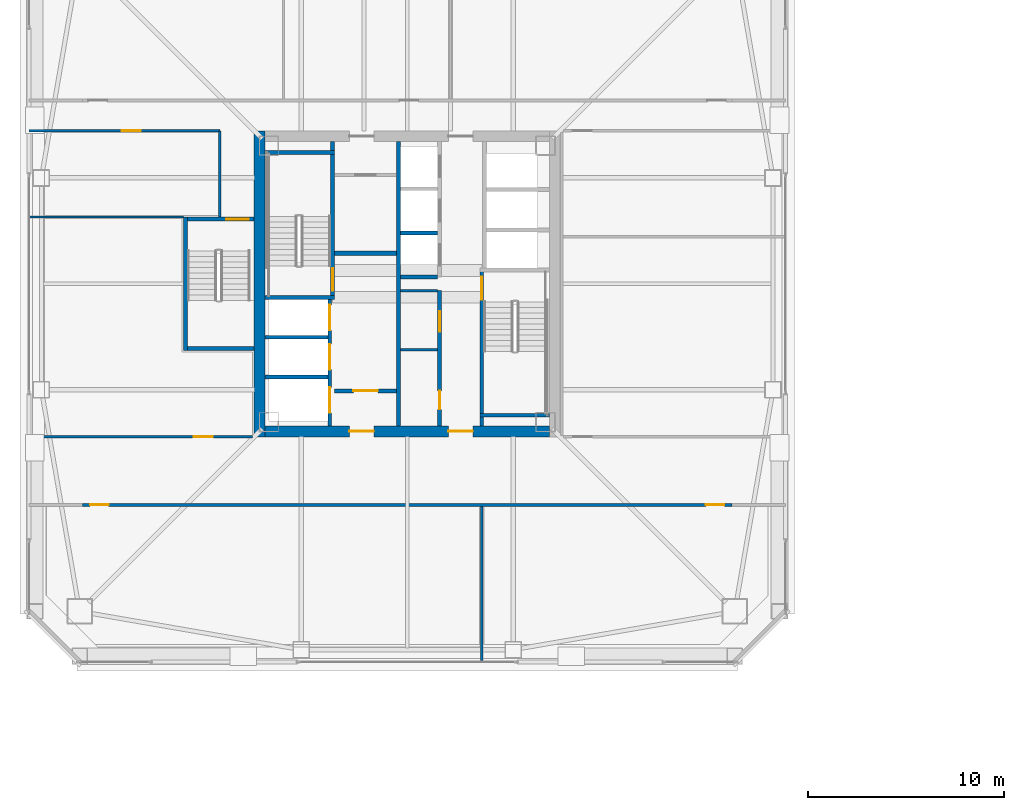
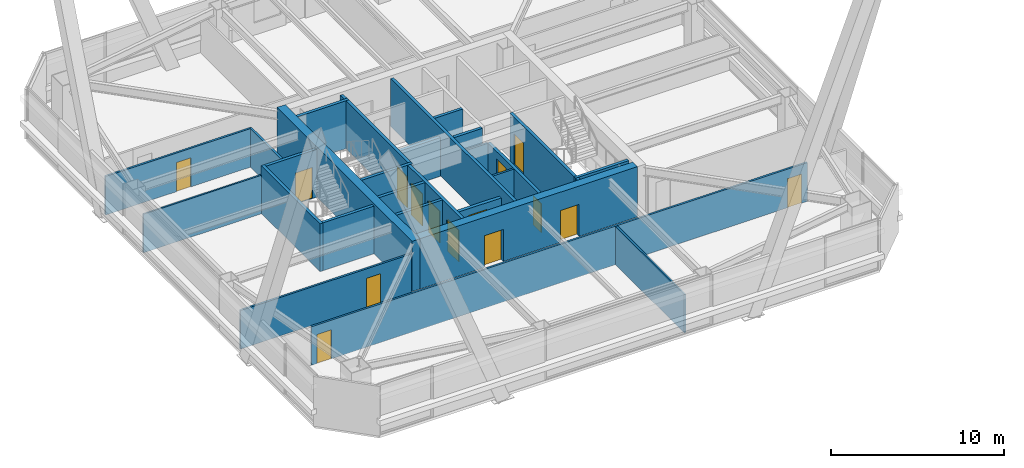
# One storey, part 44 of 54: 27 walls, 15 doors, 15 openings.
"""IFC4 building model written with IfcOpenShell, lengths in metres."""

from ifc_helpers import new_model, si_unit, direction, frame, frame_2d, origin, place, context, subcontext, project, spatial, rectangle, extrude, material, layer, layer_set, type_object, element, fill, save


model = new_model("IFC4")

# Units and contexts
model_context = context("Model", 3, precision=1e-05, world=origin(), true_north=direction((0.0, 1.0)))
body_context = subcontext(model_context, "Body", "Model", "MODEL_VIEW")
ifc_project = project(units=[si_unit("LENGTHUNIT", "METRE"), si_unit("AREAUNIT", "SQUARE_METRE"), si_unit("VOLUMEUNIT", "CUBIC_METRE"), si_unit("PLANEANGLEUNIT", "RADIAN"), si_unit("MASSUNIT", "GRAM", prefix="KILO")], contexts=[model_context])

# Site, building, storey
site_placement = place(None, origin())
site = spatial("IfcSite", under=ifc_project, at=site_placement, CompositionType="ELEMENT")
building_placement = place(site_placement, origin())
building = spatial("IfcBuilding", under=site, at=building_placement, Name="Tashvorn Skyway Center", CompositionType="ELEMENT")
storey_placement = place(building_placement, frame((0.0, 0.0, 135.699951171875)))
storey = spatial("IfcBuildingStorey", under=building, at=storey_placement, Name="L36", CompositionType="ELEMENT", Elevation=135.699951171875)

# Wall
ifc_material_1 = material(Name="Concrete C60/75", Category="concrete")
ifc_layer_1 = layer(ifc_material_1, 0.550048828125)
ifc_layer_set_1 = layer_set([ifc_layer_1], Name="Concrete C60/75")
wall_type_1 = type_object("IfcWallType", Name="WALL-CORE-550", PredefinedType="SHEAR", material=ifc_layer_set_1)
wall_1_placement = place(storey_placement, frame((34.47509765625, 24.199951171875, 0.0), z_axis=(0.0, 0.0, 1.0), x_axis=(0.0, 1.0, 0.0)))
element("IfcWall", 1, at=wall_1_placement, inside=storey, type_object=wall_type_1, Name="Tower 1 L36 West Core Shear Wall", PredefinedType="SHEAR", context=body_context, shape_type="SweptSolid", body=[
    extrude(rectangle(XDim=15.60009765625, YDim=0.550048828125, at=frame_2d((7.800048828125, 0.0))), origin(), (0.0, 0.0, 1.0), 3.550048828125),
])

# Wall, openings, doors
wall_2_placement = place(storey_placement, frame((49.25, 24.47509765625, 0.0), z_axis=(0.0, 0.0, 1.0), x_axis=(-1.0, 0.0, 0.0)))
wall_2 = element("IfcWall", 2, at=wall_2_placement, inside=storey, type_object=wall_type_1, Name="Tower 1 L36 South Core Shear Wall", PredefinedType="SHEAR", context=body_context, shape_type="SweptSolid", body=[
    extrude(rectangle(XDim=14.5, YDim=0.550048828125, at=frame_2d((7.25, 0.0))), origin(), (0.0, 0.0, 1.0), 3.550048828125),
])
opening_1_placement = place(wall_2_placement, frame((8.949951171875, 0.0, 0.0)))
opening_1 = element("IfcOpeningElement", 3, at=opening_1_placement, cuts=wall_2, Name="Opening D-FFL-1250", PredefinedType="OPENING", context=body_context, shape_type="SweptSolid", body=[
    extrude(rectangle(XDim=1.25, YDim=2.25, at=frame_2d((0.625, 1.125))), frame((0.0, 0.284912109375, 0.0), z_axis=(0.0, -1.0, 0.0), x_axis=(1.0, 0.0, 0.0)), (0.0, 0.0, 1.0), 0.570068359375),
])
opening_2_placement = place(wall_2_placement, frame((3.89990234375, 0.0, 0.0)))
opening_2 = element("IfcOpeningElement", 4, at=opening_2_placement, cuts=wall_2, Name="Opening D-FFL-1250", PredefinedType="OPENING", context=body_context, shape_type="SweptSolid", body=[
    extrude(rectangle(XDim=1.25, YDim=2.25, at=frame_2d((0.625, 1.125))), frame((0.0, 0.284912109375, 0.0), z_axis=(0.0, -1.0, 0.0), x_axis=(1.0, 0.0, 0.0)), (0.0, 0.0, 1.0), 0.570068359375),
])
ifc_material_2 = material(Name="Hollow galvanized steel fire door assembly", Category="steel")
door_type_1 = type_object("IfcDoorType", Name="DOOR-FFL-1250", OperationType="NOTDEFINED", PredefinedType="DOOR", material=ifc_material_2)
door_1_placement = place(opening_1_placement, origin())
door_1 = element("IfcDoor", 5, at=door_1_placement, inside=storey, type_object=door_type_1, Name="Tower 1 L36 Core South Firefighting Exit Door", OperationType="SINGLE_SWING_LEFT", OverallHeight=2.25, OverallWidth=1.25, PredefinedType="DOOR", context=body_context, shape_type="SweptSolid", body=[
    extrude(rectangle(XDim=1.25, YDim=2.25, at=frame_2d((0.625, 1.125))), frame((0.0, 0.02490234375, 0.0), z_axis=(0.0, -1.0, 0.0), x_axis=(1.0, 0.0, 0.0)), (0.0, 0.0, 1.0), 0.050048828125),
])
fill(opening_1, door_1)
door_2_placement = place(opening_2_placement, origin())
door_2 = element("IfcDoor", 6, at=door_2_placement, inside=storey, type_object=door_type_1, Name="Tower 1 L36 Core South Lift Lobby Door", OperationType="SINGLE_SWING_RIGHT", OverallHeight=2.25, OverallWidth=1.25, PredefinedType="DOOR", context=body_context, shape_type="SweptSolid", body=[
    extrude(rectangle(XDim=1.25, YDim=2.25, at=frame_2d((0.625, 1.125))), frame((0.0, 0.02490234375, 0.0), z_axis=(0.0, -1.0, 0.0), x_axis=(1.0, 0.0, 0.0)), (0.0, 0.0, 1.0), 0.050048828125),
])
fill(opening_2, door_2)

# Wall
ifc_material_3 = material(Name="Concrete C40/50", Category="concrete")
ifc_layer_2 = layer(ifc_material_3, 0.219970703125)
ifc_layer_set_2 = layer_set([ifc_layer_2], Name="Concrete C40/50")
wall_type_2 = type_object("IfcWallType", Name="WALL-FFL-220", PredefinedType="SOLIDWALL", material=ifc_layer_set_2)
wall_3_placement = place(storey_placement, frame((38.300048828125, 33.56005859375, 0.0), z_axis=(0.0, 0.0, 1.0), x_axis=(1.0, 0.0, 0.0)))
element("IfcWall", 7, at=wall_3_placement, inside=storey, type_object=wall_type_2, Name="Tower 1 L36 Firefighting Lobby North Wall", PredefinedType="SOLIDWALL", context=body_context, shape_type="SweptSolid", body=[
    extrude(rectangle(XDim=3.14990234375, YDim=0.219970703125, at=frame_2d((1.574951171875, 0.0))), origin(), (0.0, 0.0, 1.0), 2.72314453125),
])

# Wall, opening, door
wall_4_placement = place(storey_placement, frame((38.300048828125, 26.5400390625, 0.0), z_axis=(0.0, 0.0, 1.0), x_axis=(1.0, 0.0, 0.0)))
wall_4 = element("IfcWall", 8, at=wall_4_placement, inside=storey, type_object=wall_type_2, Name="Tower 1 L36 Firefighting Lobby South Wall", PredefinedType="SOLIDWALL", context=body_context, shape_type="SweptSolid", body=[
    extrude(rectangle(XDim=3.14990234375, YDim=0.219970703125, at=frame_2d((1.574951171875, 0.0))), origin(), (0.0, 0.0, 1.0), 2.72314453125),
])
opening_3_placement = place(wall_4_placement, frame((0.949951171875, 0.0, 0.0)))
opening_3 = element("IfcOpeningElement", 9, at=opening_3_placement, cuts=wall_4, Name="Opening D-FFL-1250", PredefinedType="OPENING", context=body_context, shape_type="SweptSolid", body=[
    extrude(rectangle(XDim=1.25, YDim=2.25, at=frame_2d((0.625, 1.125))), frame((0.0, 0.119873046875, 0.0), z_axis=(0.0, -1.0, 0.0), x_axis=(1.0, 0.0, 0.0)), (0.0, 0.0, 1.0), 0.239990234375),
])
door_3_placement = place(opening_3_placement, origin())
door_3 = element("IfcDoor", 10, at=door_3_placement, inside=storey, type_object=door_type_1, Name="Tower 1 L36 Firefighting Lobby Egress Door", OperationType="SINGLE_SWING_LEFT", OverallHeight=2.25, OverallWidth=1.25, PredefinedType="DOOR", context=body_context, shape_type="SweptSolid", body=[
    extrude(rectangle(XDim=1.25, YDim=2.25, at=frame_2d((0.625, 1.125))), frame((0.0, 0.02490234375, 0.0), z_axis=(0.0, -1.0, 0.0), x_axis=(1.0, 0.0, 0.0)), (0.0, 0.0, 1.0), 0.050048828125),
])
fill(opening_3, door_3)

# Walls
ifc_material_4 = material(Name="Gypsum board on cold-formed steel stud framing", Category="steel")
ifc_layer_3 = layer(ifc_material_4, 0.110107421875)
ifc_layer_set_3 = layer_set([ifc_layer_3], Name="Gypsum board on cold-formed steel stud framing")
wall_type_3 = type_object("IfcWallType", Name="WALL-PART-110", PredefinedType="PARTITIONING", material=ifc_layer_set_3)
wall_5_placement = place(storey_placement, frame((45.800048828125, 12.719970703125, 0.0), z_axis=(0.0, 0.0, 1.0), x_axis=(0.0, 1.0, 0.0)))
element("IfcWall", 11, at=wall_5_placement, inside=storey, type_object=wall_type_3, Name="Tower 1 L36 South Suite Partition 1", PredefinedType="PARTITIONING", context=body_context, shape_type="SweptSolid", body=[
    extrude(rectangle(XDim=7.929931640625, YDim=0.110107421875, at=frame_2d((3.96484375, 0.0))), origin(), (0.0, 0.0, 1.0), 2.72314453125),
])
wall_6_placement = place(storey_placement, frame((30.60009765625, 35.39990234375, 0.0), z_axis=(0.0, 0.0, 1.0), x_axis=(-1.0, 0.0, 0.0)))
element("IfcWall", 12, at=wall_6_placement, inside=storey, type_object=wall_type_3, Name="Tower 1 L36 West Suite Partition 1", PredefinedType="PARTITIONING", context=body_context, shape_type="SweptSolid", body=[
    extrude(rectangle(XDim=7.880126953125, YDim=0.110107421875, at=frame_2d((3.93994140625, 0.0))), origin(), (0.0, 0.0, 1.0), 2.72314453125),
])
ifc_layer_4 = layer(ifc_material_4, 0.135009765625)
ifc_layer_set_4 = layer_set([ifc_layer_4], Name="Gypsum board on cold-formed steel stud framing")
wall_type_4 = type_object("IfcWallType", Name="WALL-PART-135", PredefinedType="PARTITIONING", material=ifc_layer_set_4)
wall_7_placement = place(storey_placement, frame((32.449951171875, 35.39990234375, 0.0), z_axis=(0.0, 0.0, 1.0), x_axis=(0.0, 1.0, 0.0)))
element("IfcWall", 13, at=wall_7_placement, inside=storey, type_object=wall_type_4, Name="Tower 1 L36 Stair 3 Access Corridor Wall", PredefinedType="PARTITIONING", context=body_context, shape_type="SweptSolid", body=[
    extrude(rectangle(XDim=4.400146484375, YDim=0.135009765625, at=frame_2d((2.2001953125, 0.0))), origin(), (0.0, 0.0, 1.0), 2.72314453125),
])

# Wall, openings, doors
wall_8_placement = place(storey_placement, frame((58.550048828125, 20.72998046875, 0.0), z_axis=(0.0, 0.0, 1.0), x_axis=(-1.0, 0.0, 0.0)))
wall_8 = element("IfcWall", 14, at=wall_8_placement, inside=storey, type_object=wall_type_4, Name="Tower 1 L36 South Suite Wall", PredefinedType="PARTITIONING", context=body_context, shape_type="SweptSolid", body=[
    extrude(rectangle(XDim=33.10009765625, YDim=0.135009765625, at=frame_2d((16.550048828125, 0.0))), origin(), (0.0, 0.0, 1.0), 2.72314453125),
])
opening_4_placement = place(wall_8_placement, frame((31.77001953125, 0.0, 0.0)))
opening_4 = element("IfcOpeningElement", 15, at=opening_4_placement, cuts=wall_8, Name="Opening D-INT-950", PredefinedType="OPENING", context=body_context, shape_type="SweptSolid", body=[
    extrude(rectangle(XDim=0.949951171875, YDim=2.050048828125, at=frame_2d((0.47509765625, 1.02490234375))), frame((0.0, 0.077392578125, 0.0), z_axis=(0.0, -1.0, 0.0), x_axis=(1.0, 0.0, 0.0)), (0.0, 0.0, 1.0), 0.155029296875),
])
opening_5_placement = place(wall_8_placement, frame((0.3798828125, 0.0, 0.0)))
opening_5 = element("IfcOpeningElement", 16, at=opening_5_placement, cuts=wall_8, Name="Opening D-INT-950", PredefinedType="OPENING", context=body_context, shape_type="SweptSolid", body=[
    extrude(rectangle(XDim=0.949951171875, YDim=2.050048828125, at=frame_2d((0.47509765625, 1.02490234375))), frame((0.0, 0.077392578125, 0.0), z_axis=(0.0, -1.0, 0.0), x_axis=(1.0, 0.0, 0.0)), (0.0, 0.0, 1.0), 0.155029296875),
])
ifc_material_5 = material(Name="Solid-core architectural oak veneer door")
door_type_2 = type_object("IfcDoorType", Name="DOOR-INT-950", OperationType="NOTDEFINED", PredefinedType="DOOR", material=ifc_material_5)
door_4_placement = place(opening_4_placement, origin())
door_4 = element("IfcDoor", 17, at=door_4_placement, inside=storey, type_object=door_type_2, Name="Tower 1 L36 Executive Study Lounge Door", OperationType="SINGLE_SWING_RIGHT", OverallHeight=2.050048828125, OverallWidth=0.949951171875, PredefinedType="DOOR", context=body_context, shape_type="SweptSolid", body=[
    extrude(rectangle(XDim=0.949951171875, YDim=2.050048828125, at=frame_2d((0.47509765625, 1.02490234375))), frame((0.0, 0.02490234375, 0.0), z_axis=(0.0, -1.0, 0.0), x_axis=(1.0, 0.0, 0.0)), (0.0, 0.0, 1.0), 0.050048828125),
])
fill(opening_4, door_4)
door_5_placement = place(opening_5_placement, origin())
door_5 = element("IfcDoor", 18, at=door_5_placement, inside=storey, type_object=door_type_2, Name="Tower 1 L36 Reading Lounge Door", OperationType="SINGLE_SWING_LEFT", OverallHeight=2.050048828125, OverallWidth=0.949951171875, PredefinedType="DOOR", context=body_context, shape_type="SweptSolid", body=[
    extrude(rectangle(XDim=0.949951171875, YDim=2.050048828125, at=frame_2d((0.47509765625, 1.02490234375))), frame((0.0, 0.02490234375, 0.0), z_axis=(0.0, -1.0, 0.0), x_axis=(1.0, 0.0, 0.0)), (0.0, 0.0, 1.0), 0.050048828125),
])
fill(opening_5, door_5)

# Wall, opening, door
wall_9_placement = place(storey_placement, frame((32.449951171875, 39.800048828125, 0.0), z_axis=(0.0, 0.0, 1.0), x_axis=(-1.0, 0.0, 0.0)))
wall_9 = element("IfcWall", 19, at=wall_9_placement, inside=storey, type_object=wall_type_4, Name="Tower 1 L36 West Suite North Wall", PredefinedType="PARTITIONING", context=body_context, shape_type="SweptSolid", body=[
    extrude(rectangle(XDim=9.72998046875, YDim=0.135009765625, at=frame_2d((4.864990234375, 0.0))), origin(), (0.0, 0.0, 1.0), 2.72314453125),
])
opening_6_placement = place(wall_9_placement, frame((4.0400390625, 0.0, 0.0)))
opening_6 = element("IfcOpeningElement", 20, at=opening_6_placement, cuts=wall_9, Name="Opening D-INT-950", PredefinedType="OPENING", context=body_context, shape_type="SweptSolid", body=[
    extrude(rectangle(XDim=0.949951171875, YDim=2.050048828125, at=frame_2d((0.47509765625, 1.02490234375))), frame((0.0, 0.077392578125, 0.0), z_axis=(0.0, -1.0, 0.0), x_axis=(1.0, 0.0, 0.0)), (0.0, 0.0, 1.0), 0.155029296875),
])
door_6_placement = place(opening_6_placement, origin())
door_6 = element("IfcDoor", 21, at=door_6_placement, inside=storey, type_object=door_type_2, Name="Tower 1 L36 Reading Lounge Door", OperationType="SINGLE_SWING_RIGHT", OverallHeight=2.050048828125, OverallWidth=0.949951171875, PredefinedType="DOOR", context=body_context, shape_type="SweptSolid", body=[
    extrude(rectangle(XDim=0.949951171875, YDim=2.050048828125, at=frame_2d((0.47509765625, 1.02490234375))), frame((0.0, 0.02490234375, 0.0), z_axis=(0.0, -1.0, 0.0), x_axis=(1.0, 0.0, 0.0)), (0.0, 0.0, 1.0), 0.050048828125),
])
fill(opening_6, door_6)

wall_10_placement = place(storey_placement, frame((22.719970703125, 24.199951171875, 0.0), z_axis=(0.0, 0.0, 1.0), x_axis=(1.0, 0.0, 0.0)))
wall_10 = element("IfcWall", 22, at=wall_10_placement, inside=storey, type_object=wall_type_4, Name="Tower 1 L36 West Suite South Wall", PredefinedType="PARTITIONING", context=body_context, shape_type="SweptSolid", body=[
    extrude(rectangle(XDim=11.400146484375, YDim=0.135009765625, at=frame_2d((5.7001953125, 0.0))), origin(), (0.0, 0.0, 1.0), 2.72314453125),
])
opening_7_placement = place(wall_10_placement, frame((8.405029296875, 0.0, 0.0)))
opening_7 = element("IfcOpeningElement", 23, at=opening_7_placement, cuts=wall_10, Name="Opening D-INT-950", PredefinedType="OPENING", context=body_context, shape_type="SweptSolid", body=[
    extrude(rectangle(XDim=0.949951171875, YDim=2.050048828125, at=frame_2d((0.47509765625, 1.02490234375))), frame((0.0, 0.077392578125, 0.0), z_axis=(0.0, -1.0, 0.0), x_axis=(1.0, 0.0, 0.0)), (0.0, 0.0, 1.0), 0.155029296875),
])
door_7_placement = place(opening_7_placement, origin())
door_7 = element("IfcDoor", 24, at=door_7_placement, inside=storey, type_object=door_type_2, Name="Tower 1 L36 Public Restroom Door", OperationType="SINGLE_SWING_LEFT", OverallHeight=2.050048828125, OverallWidth=0.949951171875, PredefinedType="DOOR", context=body_context, shape_type="SweptSolid", body=[
    extrude(rectangle(XDim=0.949951171875, YDim=2.050048828125, at=frame_2d((0.47509765625, 1.02490234375))), frame((0.0, 0.02490234375, 0.0), z_axis=(0.0, -1.0, 0.0), x_axis=(1.0, 0.0, 0.0)), (0.0, 0.0, 1.0), 0.050048828125),
])
fill(opening_7, door_7)

# Walls
ifc_layer_5 = layer(ifc_material_4, 0.135009765625)
ifc_layer_set_5 = layer_set([ifc_layer_5], Name="Gypsum board on cold-formed steel stud framing")
wall_type_5 = type_object("IfcWallType", Name="WALL-RATED-135", PredefinedType="PARTITIONING", material=ifc_layer_set_5)
for number, where, z_axis, x_axis, name in (
    (25, (41.669921875, 31.64990234375, 0.0), (0.0, 0.0, 1.0), (1.0, 0.0, 0.0), "Tower 1 L36 Core Room Partition"),
    (26, (41.669921875, 28.64990234375, 0.0), (0.0, 0.0, 1.0), (1.0, 0.0, 0.0), "Tower 1 L36 Freed Core Partition"),
):
    element("IfcWall", number, at=place(storey_placement, frame(where, z_axis=z_axis, x_axis=x_axis)), inside=storey, type_object=wall_type_5, Name=name, PredefinedType="PARTITIONING", context=body_context, shape_type="SweptSolid", body=[
        extrude(rectangle(XDim=1.880126953125, YDim=0.135009765625, at=frame_2d((0.93994140625, 0.0))), origin(), (0.0, 0.0, 1.0), 2.72314453125),
    ])
ifc_layer_6 = layer(ifc_material_3, 0.199951171875)
ifc_layer_set_6 = layer_set([ifc_layer_6], Name="Concrete C40/50")
wall_type_6 = type_object("IfcWallType", Name="WALL-SHAFT-200", PredefinedType="SOLIDWALL", material=ifc_layer_set_6)
for number, where, z_axis, x_axis, name in (
    (27, (34.75, 27.25, 0.0), (0.0, 0.0, 1.0), (1.0, 0.0, 0.0), "Tower 1 L36 FSAE Shaft Divider"),
    (28, (34.75, 29.280029296875, 0.0), (0.0, 0.0, 1.0), (1.0, 0.0, 0.0), "Tower 1 L36 FSAE Shaft Divider"),
):
    element("IfcWall", number, at=place(storey_placement, frame(where, z_axis=z_axis, x_axis=x_axis)), inside=storey, type_object=wall_type_6, Name=name, PredefinedType="SOLIDWALL", context=body_context, shape_type="SweptSolid", body=[
        extrude(rectangle(XDim=3.199951171875, YDim=0.199951171875, at=frame_2d((1.60009765625, 0.0))), origin(), (0.0, 0.0, 1.0), 3.3701171875),
    ])

# Wall, openings, doors
wall_11_placement = place(storey_placement, frame((43.64990234375, 24.75, 0.0), z_axis=(0.0, 0.0, 1.0), x_axis=(0.0, 1.0, 0.0)))
wall_11 = element("IfcWall", 29, at=wall_11_placement, inside=storey, type_object=wall_type_6, Name="Tower 1 L36 Low-Rise Core Wall", PredefinedType="SOLIDWALL", context=body_context, shape_type="SweptSolid", body=[
    extrude(rectangle(XDim=6.89990234375, YDim=0.199951171875, at=frame_2d((3.449951171875, 0.0))), origin(), (0.0, 0.0, 1.0), 2.72314453125),
])
opening_8_placement = place(wall_11_placement, frame((0.85009765625, 0.0, 0.0)))
opening_8 = element("IfcOpeningElement", 30, at=opening_8_placement, cuts=wall_11, Name="Opening D-RT-950", PredefinedType="OPENING", context=body_context, shape_type="SweptSolid", body=[
    extrude(rectangle(XDim=0.949951171875, YDim=2.050048828125, at=frame_2d((0.47509765625, 1.02490234375))), frame((0.0, 0.10986328125, 0.0), z_axis=(0.0, -1.0, 0.0), x_axis=(1.0, 0.0, 0.0)), (0.0, 0.0, 1.0), 0.219970703125),
])
opening_9_placement = place(wall_11_placement, frame((4.800048828125, 0.0, 0.0)))
opening_9 = element("IfcOpeningElement", 31, at=opening_9_placement, cuts=wall_11, Name="Opening D-RT-1050", PredefinedType="OPENING", context=body_context, shape_type="SweptSolid", body=[
    extrude(rectangle(XDim=1.050048828125, YDim=2.199951171875, at=frame_2d((0.52490234375, 1.10009765625))), frame((0.0, 0.10986328125, 0.0), z_axis=(0.0, -1.0, 0.0), x_axis=(1.0, 0.0, 0.0)), (0.0, 0.0, 1.0), 0.219970703125),
])
door_type_3 = type_object("IfcDoorType", Name="DOOR-RATED-1050", OperationType="NOTDEFINED", PredefinedType="DOOR", material=ifc_material_2)
door_8_placement = place(opening_9_placement, origin())
door_8 = element("IfcDoor", 32, at=door_8_placement, inside=storey, type_object=door_type_3, Name="Tower 1 L36 Freed Core Room Door", OperationType="SINGLE_SWING_RIGHT", OverallHeight=2.199951171875, OverallWidth=1.050048828125, PredefinedType="DOOR", context=body_context, shape_type="SweptSolid", body=[
    extrude(rectangle(XDim=1.050048828125, YDim=2.199951171875, at=frame_2d((0.52490234375, 1.10009765625))), frame((0.0, 0.02490234375, 0.0), z_axis=(0.0, -1.0, 0.0), x_axis=(1.0, 0.0, 0.0)), (0.0, 0.0, 1.0), 0.050048828125),
])
fill(opening_9, door_8)
door_type_4 = type_object("IfcDoorType", Name="DOOR-RATED-950", OperationType="NOTDEFINED", PredefinedType="DOOR", material=ifc_material_2)
door_9_placement = place(opening_8_placement, origin())
door_9 = element("IfcDoor", 33, at=door_9_placement, inside=storey, type_object=door_type_4, Name="Tower 1 L36 Core Print Room Door", OperationType="SINGLE_SWING_LEFT", OverallHeight=2.050048828125, OverallWidth=0.949951171875, PredefinedType="DOOR", context=body_context, shape_type="SweptSolid", body=[
    extrude(rectangle(XDim=0.949951171875, YDim=2.050048828125, at=frame_2d((0.47509765625, 1.02490234375))), frame((0.0, 0.02490234375, 0.0), z_axis=(0.0, -1.0, 0.0), x_axis=(1.0, 0.0, 0.0)), (0.0, 0.0, 1.0), 0.050048828125),
])
fill(opening_8, door_9)

# Walls
for number, where, z_axis, x_axis, name in (
    (34, (41.669921875, 32.35009765625, 0.0), (0.0, 0.0, 1.0), (1.0, 0.0, 0.0), "Tower 1 L36 Mid-Rise Shaft Divider"),
    (35, (41.669921875, 34.60009765625, 0.0), (0.0, 0.0, 1.0), (1.0, 0.0, 0.0), "Tower 1 L36 Mid-Rise Shaft Divider"),
):
    element("IfcWall", number, at=place(storey_placement, frame(where, z_axis=z_axis, x_axis=x_axis)), inside=storey, type_object=wall_type_6, Name=name, PredefinedType="SOLIDWALL", context=body_context, shape_type="SweptSolid", body=[
        extrude(rectangle(XDim=1.880126953125, YDim=0.199951171875, at=frame_2d((0.93994140625, 0.0))), origin(), (0.0, 0.0, 1.0), 3.3701171875),
    ])

# Wall, opening, door
ifc_layer_7 = layer(ifc_material_3, 0.199951171875)
ifc_layer_set_7 = layer_set([ifc_layer_7], Name="Concrete C40/50")
wall_type_7 = type_object("IfcWallType", Name="WALL-STSHF-200", PredefinedType="SHEAR", material=ifc_layer_set_7)
wall_12_placement = place(storey_placement, frame((38.199951171875, 31.199951171875, 0.0), z_axis=(0.0, 0.0, 1.0), x_axis=(0.0, 1.0, 0.0)))
wall_12 = element("IfcWall", 36, at=wall_12_placement, inside=storey, type_object=wall_type_7, Name="Tower 1 L36 Stair 1 Enclosure Wall", PredefinedType="SHEAR", context=body_context, shape_type="SweptSolid", body=[
    extrude(rectangle(XDim=8.050048828125, YDim=0.199951171875, at=frame_2d((4.02490234375, 0.0))), origin(), (0.0, 0.0, 1.0), 3.3701171875),
])
opening_10_placement = place(wall_12_placement, frame((0.449951171875, 0.0, 0.0)))
opening_10 = element("IfcOpeningElement", 37, at=opening_10_placement, cuts=wall_12, Name="Opening D-ST-1150", PredefinedType="OPENING", context=body_context, shape_type="SweptSolid", body=[
    extrude(rectangle(XDim=1.14990234375, YDim=2.199951171875, at=frame_2d((0.574951171875, 1.10009765625))), frame((0.0, 0.10986328125, 0.0), z_axis=(0.0, -1.0, 0.0), x_axis=(1.0, 0.0, 0.0)), (0.0, 0.0, 1.0), 0.219970703125),
])
door_type_5 = type_object("IfcDoorType", Name="DOOR-STAIR-1150", OperationType="NOTDEFINED", PredefinedType="DOOR", material=ifc_material_2)
door_10_placement = place(opening_10_placement, origin())
door_10 = element("IfcDoor", 38, at=door_10_placement, inside=storey, type_object=door_type_5, Name="Tower 1 L36 Exit Stair 1 Door", OperationType="SINGLE_SWING_RIGHT", OverallHeight=2.199951171875, OverallWidth=1.14990234375, PredefinedType="DOOR", context=body_context, shape_type="SweptSolid", body=[
    extrude(rectangle(XDim=1.14990234375, YDim=2.199951171875, at=frame_2d((0.574951171875, 1.10009765625))), frame((0.0, 0.02490234375, 0.0), z_axis=(0.0, -1.0, 0.0), x_axis=(1.0, 0.0, 0.0)), (0.0, 0.0, 1.0), 0.050048828125),
])
fill(opening_10, door_10)

# Walls
for number, where, z_axis, x_axis, name in (
    (39, (34.75, 31.300048828125, 0.0), (0.0, 0.0, 1.0), (1.0, 0.0, 0.0), "Tower 1 L36 Stair 1 South Wall"),
    (40, (34.75, 38.699951171875, 0.0), (0.0, 0.0, 1.0), (1.0, 0.0, 0.0), "Tower 1 L36 Stair 1 North Wall"),
):
    element("IfcWall", number, at=place(storey_placement, frame(where, z_axis=z_axis, x_axis=x_axis)), inside=storey, type_object=wall_type_7, Name=name, PredefinedType="SHEAR", context=body_context, shape_type="SweptSolid", body=[
        extrude(rectangle(XDim=3.550048828125, YDim=0.199951171875, at=frame_2d((1.77490234375, 0.0))), origin(), (0.0, 0.0, 1.0), 3.3701171875),
    ])

# Wall, opening, door
wall_13_placement = place(storey_placement, frame((45.800048828125, 32.800048828125, 0.0), z_axis=(0.0, 0.0, 1.0), x_axis=(0.0, -1.0, 0.0)))
wall_13 = element("IfcWall", 41, at=wall_13_placement, inside=storey, type_object=wall_type_7, Name="Tower 1 L36 Stair 2 Enclosure Wall", PredefinedType="SHEAR", context=body_context, shape_type="SweptSolid", body=[
    extrude(rectangle(XDim=8.050048828125, YDim=0.199951171875, at=frame_2d((4.02490234375, 0.0))), origin(), (0.0, 0.0, 1.0), 3.3701171875),
])
opening_11_placement = place(wall_13_placement, frame((0.449951171875, 0.0, 0.0)))
opening_11 = element("IfcOpeningElement", 42, at=opening_11_placement, cuts=wall_13, Name="Opening D-ST-1150", PredefinedType="OPENING", context=body_context, shape_type="SweptSolid", body=[
    extrude(rectangle(XDim=1.14990234375, YDim=2.199951171875, at=frame_2d((0.574951171875, 1.10009765625))), frame((0.0, 0.10986328125, 0.0), z_axis=(0.0, -1.0, 0.0), x_axis=(1.0, 0.0, 0.0)), (0.0, 0.0, 1.0), 0.219970703125),
])
door_11_placement = place(opening_11_placement, origin())
door_11 = element("IfcDoor", 43, at=door_11_placement, inside=storey, type_object=door_type_5, Name="Tower 1 L36 Exit Stair 2 Door", OperationType="SINGLE_SWING_RIGHT", OverallHeight=2.199951171875, OverallWidth=1.14990234375, PredefinedType="DOOR", context=body_context, shape_type="SweptSolid", body=[
    extrude(rectangle(XDim=1.14990234375, YDim=2.199951171875, at=frame_2d((0.574951171875, 1.10009765625))), frame((0.0, 0.02490234375, 0.0), z_axis=(0.0, -1.0, 0.0), x_axis=(1.0, 0.0, 0.0)), (0.0, 0.0, 1.0), 0.050048828125),
])
fill(opening_11, door_11)

# Walls
wall_14_placement = place(storey_placement, frame((45.699951171875, 25.300048828125, 0.0), z_axis=(0.0, 0.0, 1.0), x_axis=(1.0, 0.0, 0.0)))
element("IfcWall", 44, at=wall_14_placement, inside=storey, type_object=wall_type_7, Name="Tower 1 L36 Stair 2 South Wall", PredefinedType="SHEAR", context=body_context, shape_type="SweptSolid", body=[
    extrude(rectangle(XDim=3.550048828125, YDim=0.199951171875, at=frame_2d((1.77490234375, 0.0))), origin(), (0.0, 0.0, 1.0), 3.3701171875),
])
wall_15_placement = place(storey_placement, frame((41.56005859375, 24.75, 0.0), z_axis=(0.0, 0.0, 1.0), x_axis=(0.0, 1.0, 0.0)))
element("IfcWall", 45, at=wall_15_placement, inside=storey, type_object=wall_type_7, Name="Tower 1 L36 Firefighting Lobby East Smoke Barrier", PredefinedType="SHEAR", context=body_context, shape_type="SweptSolid", body=[
    extrude(rectangle(XDim=14.5, YDim=0.199951171875, at=frame_2d((7.25, 0.0))), origin(), (0.0, 0.0, 1.0), 3.3701171875),
])

# Wall, openings, doors
wall_16_placement = place(storey_placement, frame((38.050048828125, 24.75, 0.0), z_axis=(0.0, 0.0, 1.0), x_axis=(0.0, 1.0, 0.0)))
wall_16 = element("IfcWall", 46, at=wall_16_placement, inside=storey, type_object=wall_type_7, Name="Tower 1 L36 FSAE and Goods Shaft Front Wall", PredefinedType="SHEAR", context=body_context, shape_type="SweptSolid", body=[
    extrude(rectangle(XDim=6.449951171875, YDim=0.199951171875, at=frame_2d((3.22509765625, 0.0))), origin(), (0.0, 0.0, 1.0), 3.3701171875),
])
opening_12_placement = place(wall_16_placement, frame((4.875, 0.0, 0.0)))
opening_12 = element("IfcOpeningElement", 47, at=opening_12_placement, cuts=wall_16, Name="Opening LD-FF-T1-1-L36", PredefinedType="OPENING", context=body_context, shape_type="SweptSolid", body=[
    extrude(rectangle(XDim=1.300048828125, YDim=2.25, at=frame_2d((0.64990234375, 1.125))), frame((0.0, 0.10986328125, 0.0), z_axis=(0.0, -1.0, 0.0), x_axis=(1.0, 0.0, 0.0)), (0.0, 0.0, 1.0), 0.219970703125),
])
opening_13_placement = place(wall_16_placement, frame((2.875, 0.0, 0.0)))
opening_13 = element("IfcOpeningElement", 48, at=opening_13_placement, cuts=wall_16, Name="Opening LD-FF-T1-2-L36", PredefinedType="OPENING", context=body_context, shape_type="SweptSolid", body=[
    extrude(rectangle(XDim=1.300048828125, YDim=2.25, at=frame_2d((0.64990234375, 1.125))), frame((0.0, 0.10986328125, 0.0), z_axis=(0.0, -1.0, 0.0), x_axis=(1.0, 0.0, 0.0)), (0.0, 0.0, 1.0), 0.219970703125),
])
opening_14_placement = place(wall_16_placement, frame((0.675048828125, 0.0, 0.0)))
opening_14 = element("IfcOpeningElement", 49, at=opening_14_placement, cuts=wall_16, Name="Opening LD-GD-T1-1-L36", PredefinedType="OPENING", context=body_context, shape_type="SweptSolid", body=[
    extrude(rectangle(XDim=1.300048828125, YDim=2.25, at=frame_2d((0.64990234375, 1.125))), frame((0.0, 0.10986328125, 0.0), z_axis=(0.0, -1.0, 0.0), x_axis=(1.0, 0.0, 0.0)), (0.0, 0.0, 1.0), 0.219970703125),
])
ifc_material_6 = material(Name="Stainless steel heavy-duty landing door", Category="steel")
door_type_6 = type_object("IfcDoorType", Name="DOOR-LIFT-1300", OperationType="SLIDING_TO_LEFT", PredefinedType="DOOR", material=ifc_material_6)
door_12_placement = place(opening_12_placement, origin())
door_12 = element("IfcDoor", 50, at=door_12_placement, inside=storey, type_object=door_type_6, Name="Lift FF-T1-1 L36 Landing Door", OperationType="SLIDING_TO_LEFT", OverallHeight=2.25, OverallWidth=1.300048828125, PredefinedType="DOOR", context=body_context, shape_type="SweptSolid", body=[
    extrude(rectangle(XDim=1.300048828125, YDim=2.25, at=frame_2d((0.64990234375, 1.125))), frame((0.0, 0.02490234375, 0.0), z_axis=(0.0, -1.0, 0.0), x_axis=(1.0, 0.0, 0.0)), (0.0, 0.0, 1.0), 0.050048828125),
])
fill(opening_12, door_12)
door_13_placement = place(opening_13_placement, origin())
door_13 = element("IfcDoor", 51, at=door_13_placement, inside=storey, type_object=door_type_6, Name="Lift FF-T1-2 L36 Landing Door", OperationType="SLIDING_TO_LEFT", OverallHeight=2.25, OverallWidth=1.300048828125, PredefinedType="DOOR", context=body_context, shape_type="SweptSolid", body=[
    extrude(rectangle(XDim=1.300048828125, YDim=2.25, at=frame_2d((0.64990234375, 1.125))), frame((0.0, 0.02490234375, 0.0), z_axis=(0.0, -1.0, 0.0), x_axis=(1.0, 0.0, 0.0)), (0.0, 0.0, 1.0), 0.050048828125),
])
fill(opening_13, door_13)
door_14_placement = place(opening_14_placement, origin())
door_14 = element("IfcDoor", 52, at=door_14_placement, inside=storey, type_object=door_type_6, Name="Lift GD-T1-1 L36 Landing Door", OperationType="SLIDING_TO_LEFT", OverallHeight=2.25, OverallWidth=1.300048828125, PredefinedType="DOOR", context=body_context, shape_type="SweptSolid", body=[
    extrude(rectangle(XDim=1.300048828125, YDim=2.25, at=frame_2d((0.64990234375, 1.125))), frame((0.0, 0.02490234375, 0.0), z_axis=(0.0, -1.0, 0.0), x_axis=(1.0, 0.0, 0.0)), (0.0, 0.0, 1.0), 0.050048828125),
])
fill(opening_14, door_14)

# Wall
wall_17_placement = place(storey_placement, frame((30.699951171875, 28.60009765625, 0.0), z_axis=(0.0, 0.0, 1.0), x_axis=(0.0, 1.0, 0.0)))
element("IfcWall", 53, at=wall_17_placement, inside=storey, type_object=wall_type_7, Name="Tower 1 L36 Stair 3 Outer Wall", PredefinedType="SHEAR", context=body_context, shape_type="SweptSolid", body=[
    extrude(rectangle(XDim=6.7998046875, YDim=0.199951171875, at=frame_2d((3.39990234375, 0.0))), origin(), (0.0, 0.0, 1.0), 3.3701171875),
])

# Wall, opening, door
wall_18_placement = place(storey_placement, frame((34.199951171875, 35.300048828125, 0.0), z_axis=(0.0, 0.0, 1.0), x_axis=(-1.0, 0.0, 0.0)))
wall_18 = element("IfcWall", 54, at=wall_18_placement, inside=storey, type_object=wall_type_7, Name="Tower 1 L36 Stair 3 Enclosure Wall", PredefinedType="SHEAR", context=body_context, shape_type="SweptSolid", body=[
    extrude(rectangle(XDim=3.39990234375, YDim=0.199951171875, at=frame_2d((1.699951171875, 0.0))), origin(), (0.0, 0.0, 1.0), 3.3701171875),
])
opening_15_placement = place(wall_18_placement, frame((0.27490234375, 0.0, 0.0)))
opening_15 = element("IfcOpeningElement", 55, at=opening_15_placement, cuts=wall_18, Name="Opening D-ST-1150", PredefinedType="OPENING", context=body_context, shape_type="SweptSolid", body=[
    extrude(rectangle(XDim=1.14990234375, YDim=2.199951171875, at=frame_2d((0.574951171875, 1.10009765625))), frame((0.0, 0.10986328125, 0.0), z_axis=(0.0, -1.0, 0.0), x_axis=(1.0, 0.0, 0.0)), (0.0, 0.0, 1.0), 0.219970703125),
])
door_15_placement = place(opening_15_placement, origin())
door_15 = element("IfcDoor", 56, at=door_15_placement, inside=storey, type_object=door_type_5, Name="Tower 1 L36 Exit Stair 3 Door", OperationType="SINGLE_SWING_RIGHT", OverallHeight=2.199951171875, OverallWidth=1.14990234375, PredefinedType="DOOR", context=body_context, shape_type="SweptSolid", body=[
    extrude(rectangle(XDim=1.14990234375, YDim=2.199951171875, at=frame_2d((0.574951171875, 1.10009765625))), frame((0.0, 0.02490234375, 0.0), z_axis=(0.0, -1.0, 0.0), x_axis=(1.0, 0.0, 0.0)), (0.0, 0.0, 1.0), 0.050048828125),
])
fill(opening_15, door_15)

# Wall
wall_19_placement = place(storey_placement, frame((30.800048828125, 28.699951171875, 0.0), z_axis=(0.0, 0.0, 1.0), x_axis=(1.0, 0.0, 0.0)))
element("IfcWall", 57, at=wall_19_placement, inside=storey, type_object=wall_type_7, Name="Tower 1 L36 Stair 3 South Wall", PredefinedType="SHEAR", context=body_context, shape_type="SweptSolid", body=[
    extrude(rectangle(XDim=3.39990234375, YDim=0.199951171875, at=frame_2d((1.699951171875, 0.0))), origin(), (0.0, 0.0, 1.0), 3.3701171875),
])

save(model, "model.ifc")
